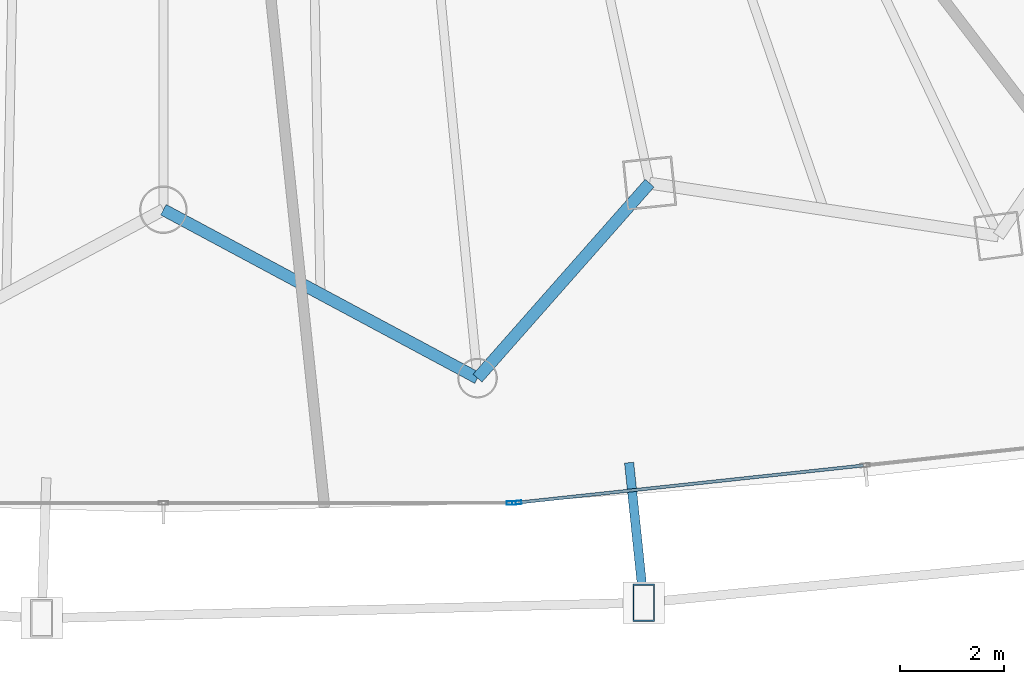
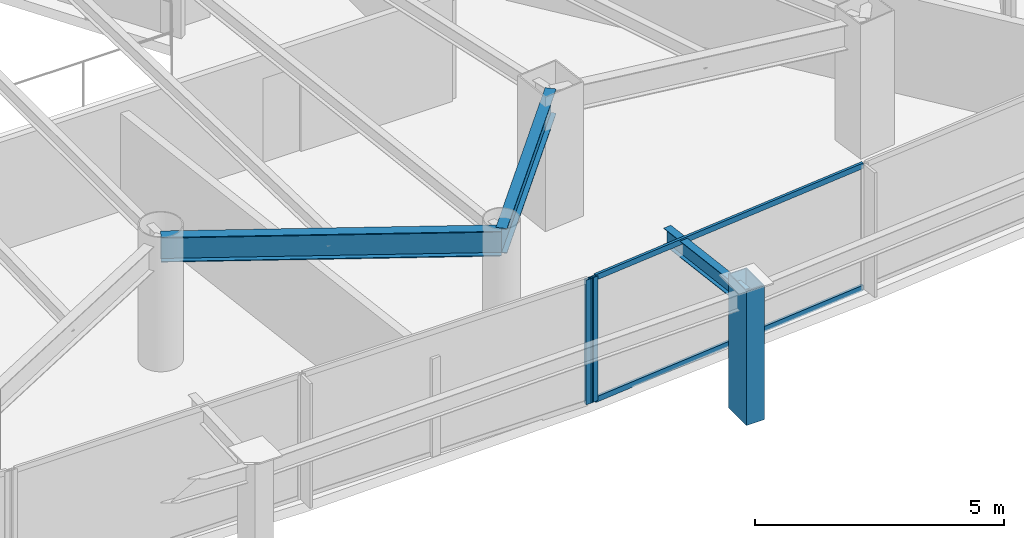
# One storey, part 13 of 35: 5 members, 3 beams, 2 elements without a shape of their own.
"""IFC4 building model written with IfcOpenShell, lengths in metres."""

from ifc_helpers import new_model, si_unit, direction, frame, origin, origin_2d, place, context, subcontext, project, spatial, hollow_rectangle, i_section, extrude, material, layer, layer_set, material_profile, profile_set, type_object, element, aggregate, save


model = new_model("IFC4")

# Units and contexts
model_context = context("Model", 3, precision=1e-05, world=origin(), true_north=direction((0.0, 1.0)))
body_context = subcontext(model_context, "Body", "Model", "MODEL_VIEW")
ifc_project = project(units=[si_unit("LENGTHUNIT", "METRE"), si_unit("AREAUNIT", "SQUARE_METRE"), si_unit("VOLUMEUNIT", "CUBIC_METRE"), si_unit("PLANEANGLEUNIT", "RADIAN"), si_unit("MASSUNIT", "GRAM", prefix="KILO")], contexts=[model_context])

# Site, building, storey
site_placement = place(None, origin())
site = spatial("IfcSite", under=ifc_project, at=site_placement, CompositionType="ELEMENT")
building_placement = place(site_placement, origin())
building = spatial("IfcBuilding", under=site, at=building_placement, Name="Orvanel Arch Residences", CompositionType="ELEMENT")
storey_placement = place(building_placement, frame((0.0, 0.0, 30.199951171875)))
storey = spatial("IfcBuildingStorey", under=building, at=storey_placement, Name="L07", CompositionType="ELEMENT", Elevation=30.199951171875)

# Member
ifc_material_1 = material(Name="Structural steel AS/NZS 3678 Grade 350", Category="steel")
ifc_material_profile_1 = material_profile(ifc_material_1, hollow_rectangle(XDim=0.419921875, YDim=0.719970703125, WallThickness=0.02490234375, at=origin_2d()), Name="RHS720x420x25")
ifc_profile_set_1 = profile_set([ifc_material_profile_1], Name="Structural steel AS/NZS 3678 Grade 350")
member_type_1 = type_object("IfcMemberType", Name="CH-720RHS-EXT", PredefinedType="CHORD", material=ifc_profile_set_1)
member_1_placement = place(storey_placement, frame((42.239013671875, -0.714111328125, 0.0), z_axis=(0.0, 0.0, 1.0), x_axis=(1.0, 0.0, 0.0)))
element("IfcMember", 1, at=member_1_placement, inside=storey, type_object=member_type_1, Name="L07 Outer Perimeter Frame Post 07", PredefinedType="CHORD", context=body_context, shape_type="SweptSolid", body=[
    extrude(hollow_rectangle(XDim=0.419921875, YDim=0.719970703125, WallThickness=0.02490234375, at=origin_2d()), origin(), (0.0, 0.0, 1.0), 3.300048828125),
])

# Curtain wall, member
ifc_material_2 = material(Name="Bronze-anodised aluminium AA6063-T6", Category="aluminium")
ifc_layer = layer(ifc_material_2, 0.179931640625)
ifc_layer_set = layer_set([ifc_layer], Name="Bronze-anodised aluminium AA6063-T6")
curtain_wall_type = type_object("IfcCurtainWallType", Name="CW2-LOW-SYS", PredefinedType="NOTDEFINED", material=ifc_layer_set)
curtain_wall_1_placement = place(storey_placement, origin())
curtain_wall_1 = element("IfcCurtainWall", 2, at=curtain_wall_1_placement, inside=storey, type_object=curtain_wall_type, Name="L07 CW2-LOW-SYS Unitised Curtain Wall", PredefinedType="NOTDEFINED")
ifc_material_profile_2 = material_profile(ifc_material_2, hollow_rectangle(XDim=0.070068359375, YDim=0.179931640625, WallThickness=0.00439453125, at=origin_2d()), Name="ALU180x70x4.5")
ifc_profile_set_2 = profile_set([ifc_material_profile_2], Name="Bronze-anodised aluminium AA6063-T6")
member_type_2 = type_object("IfcMemberType", Name="MUL-180x70", PredefinedType="MULLION", material=ifc_profile_set_2)
member_2_placement = place(storey_placement, frame((39.68896484375, 1.2041015625, 0.0), z_axis=(0.0, 0.0, 1.0), x_axis=(0.0, 1.0, 0.0)))
member_2 = element("IfcMember", 3, at=member_2_placement, type_object=member_type_2, Name="CW-S2 mullion 3", PredefinedType="MULLION", context=body_context, shape_type="SweptSolid", body=[
    extrude(hollow_rectangle(XDim=0.070068359375, YDim=0.179931640625, WallThickness=0.00439453125, at=origin_2d()), origin(), (0.0, 0.0, 1.0), 3.06005859375),
])
aggregate(curtain_wall_1, [member_2])

curtain_wall_2_placement = place(storey_placement, origin())
curtain_wall_2 = element("IfcCurtainWall", 4, at=curtain_wall_2_placement, inside=storey, type_object=curtain_wall_type, Name="L07 CW2-LOW-SYS Unitised Curtain Wall", PredefinedType="NOTDEFINED")
member_3_placement = place(storey_placement, frame((39.798828125, 1.209716796875, 0.0), z_axis=(0.0, 0.0, 1.0), x_axis=(-0.106701765481, 0.994291070685, 0.0)))
member_3 = element("IfcMember", 5, at=member_3_placement, type_object=member_type_2, Name="CW-S2 mullion 1", PredefinedType="MULLION", context=body_context, shape_type="SweptSolid", body=[
    extrude(hollow_rectangle(XDim=0.070068359375, YDim=0.179931640625, WallThickness=0.00439453125, at=origin_2d()), origin(), (0.0, 0.0, 1.0), 3.06005859375),
])

# Beams
ifc_material_3 = material(Name="Structural steel AS/NZS 3679.1 Grade 300 (300 MPa)", Category="steel")
ifc_material_profile_3 = material_profile(ifc_material_3, i_section(OverallWidth=0.177978515625, OverallDepth=0.406005859375, WebThickness=0.0078125, FlangeThickness=0.0126953125, at=origin_2d()), Name="410UB59.7")
ifc_profile_set_3 = profile_set([ifc_material_profile_3], Name="Structural steel AS/NZS 3679.1 Grade 300 (300 MPa)")
beam_type_1 = type_object("IfcBeamType", Name="OB-410UB-EXT", PredefinedType="SPANDREL", material=ifc_profile_set_3)
beam_1_placement = place(storey_placement, frame((41.95703125, 1.97998046875, 2.85693359375), z_axis=(0.104098314329, -0.994567011796, 0.0), x_axis=(0.994567011796, 0.104098314329, 0.0)))
element("IfcBeam", 6, at=beam_1_placement, inside=storey, type_object=beam_type_1, Name="L07 Outer Frame Radial Tie Beam 07", PredefinedType="SPANDREL", context=body_context, shape_type="SweptSolid", body=[
    extrude(i_section(OverallWidth=0.177978515625, OverallDepth=0.406005859375, WebThickness=0.0078125, FlangeThickness=0.0126953125, at=origin_2d()), origin(), (0.0, 0.0, 1.0), 2.708740234375),
])
ifc_material_profile_4 = material_profile(ifc_material_3, i_section(OverallWidth=0.22900390625, OverallDepth=0.612060546875, WebThickness=0.011962890625, FlangeThickness=0.01953125, at=origin_2d()), Name="610UB125")
ifc_profile_set_4 = profile_set([ifc_material_profile_4], Name="Structural steel AS/NZS 3679.1 Grade 300 (300 MPa)")
beam_type_2 = type_object("IfcBeamType", Name="SP-610UB", PredefinedType="SPANDREL", material=ifc_profile_set_4)
beam_2_placement = place(storey_placement, frame((33.0, 6.843994140625, 2.754150390625), z_axis=(0.881344400551, -0.472474388319, 0.0), x_axis=(0.472474388319, 0.881344400551, 0.0)))
element("IfcBeam", 7, at=beam_2_placement, inside=storey, type_object=beam_type_2, Name="L07 Perimeter Spandrel Beam 07", PredefinedType="SPANDREL", context=body_context, shape_type="SweptSolid", body=[
    extrude(i_section(OverallWidth=0.22900390625, OverallDepth=0.612060546875, WebThickness=0.011962890625, FlangeThickness=0.01953125, at=origin_2d()), origin(), (0.0, 0.0, 1.0), 6.85546875),
])
beam_3_placement = place(storey_placement, frame((39.0419921875, 3.60498046875, 2.754150390625), z_axis=(0.661650698195, 0.749812212209, 0.0), x_axis=(-0.749812212209, 0.661650698195, 0.0)))
element("IfcBeam", 8, at=beam_3_placement, inside=storey, type_object=beam_type_2, Name="L07 Perimeter Spandrel Beam 08", PredefinedType="SPANDREL", context=body_context, shape_type="SweptSolid", body=[
    extrude(i_section(OverallWidth=0.22900390625, OverallDepth=0.612060546875, WebThickness=0.011962890625, FlangeThickness=0.01953125, at=origin_2d()), origin(), (0.0, 0.0, 1.0), 5.001220703125),
])

# Member
ifc_material_profile_5 = material_profile(ifc_material_2, hollow_rectangle(XDim=0.06005859375, YDim=0.135009765625, WallThickness=0.00390625, at=origin_2d()), Name="ALU135x60x4")
ifc_profile_set_5 = profile_set([ifc_material_profile_5], Name="Bronze-anodised aluminium AA6063-T6")
member_type_3 = type_object("IfcMemberType", Name="TRN-135x60", PredefinedType="USERDEFINED", material=ifc_profile_set_5)
member_4_placement = place(storey_placement, frame((39.83349609375, 1.21337890625, 0.030029296875), z_axis=(0.994290430162, 0.106707733967, 0.0), x_axis=(-0.106707733967, 0.994290430162, 0.0)))
member_4 = element("IfcMember", 9, at=member_4_placement, type_object=member_type_3, Name="CW-S2 transom 1.1", ObjectType="TRANSOM", PredefinedType="USERDEFINED", context=body_context, shape_type="SweptSolid", body=[
    extrude(hollow_rectangle(XDim=0.06005859375, YDim=0.135009765625, WallThickness=0.00390625, at=origin_2d()), origin(), (0.0, 0.0, 1.0), 6.664794921875),
])

member_5_placement = place(storey_placement, frame((39.83349609375, 1.21337890625, 3.030029296875), z_axis=(0.994290430162, 0.106707733967, 0.0), x_axis=(-0.106707733967, 0.994290430162, 0.0)))
member_5 = element("IfcMember", 10, at=member_5_placement, type_object=member_type_3, Name="CW-S2 transom 1.2", ObjectType="TRANSOM", PredefinedType="USERDEFINED", context=body_context, shape_type="SweptSolid", body=[
    extrude(hollow_rectangle(XDim=0.06005859375, YDim=0.135009765625, WallThickness=0.00390625, at=origin_2d()), origin(), (0.0, 0.0, 1.0), 6.664794921875),
])

aggregate(curtain_wall_2, [member_3, member_4, member_5])

save(model, "model.ifc")
